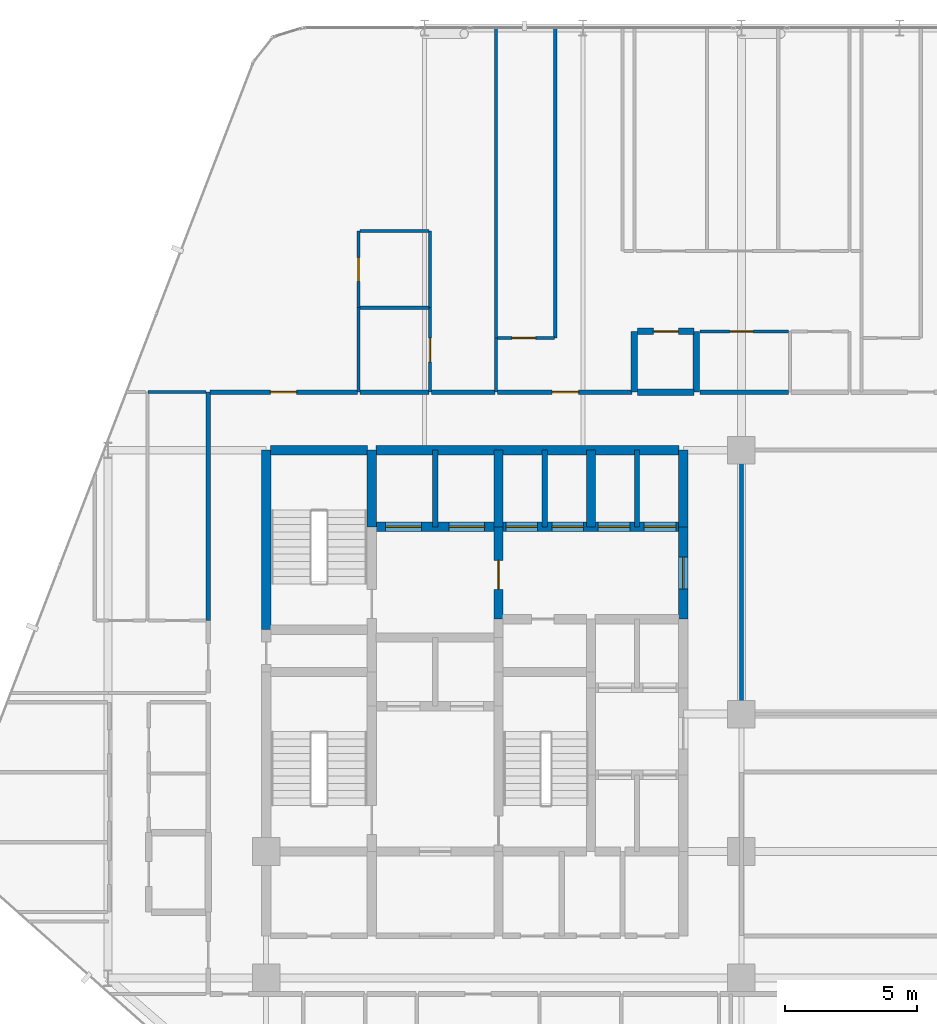
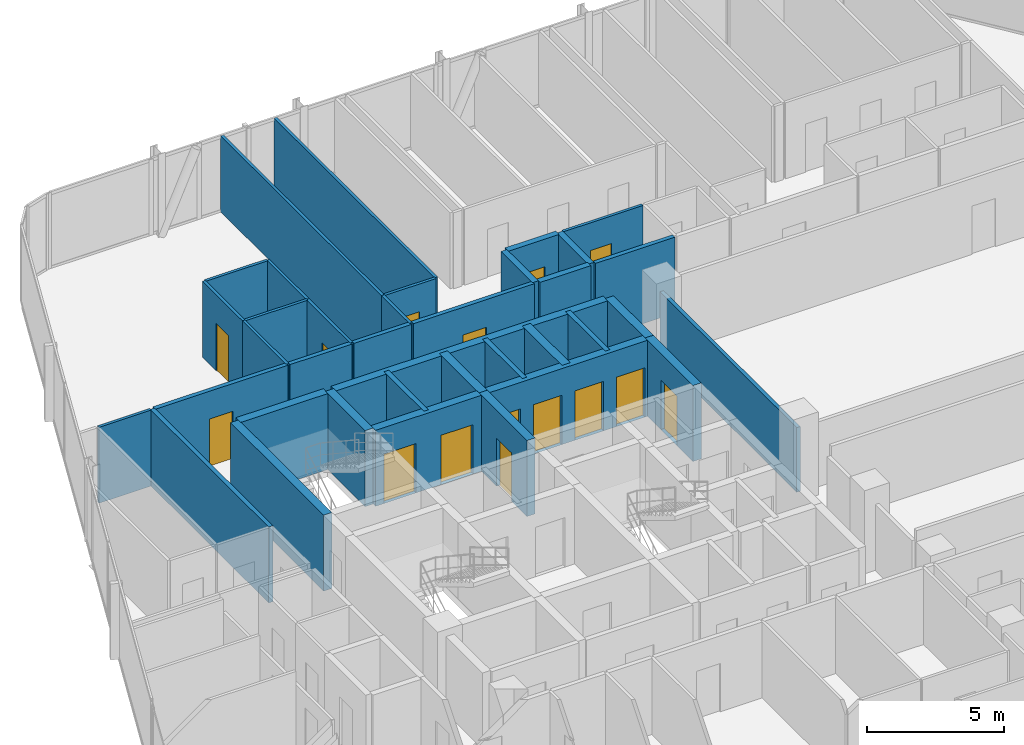
# One storey, part 26 of 29: 36 walls, 15 doors, 15 openings.
"""IFC4 building model written with IfcOpenShell, lengths in metres."""

from ifc_helpers import new_model, si_unit, direction, frame, frame_2d, origin, place, context, subcontext, project, spatial, rectangle, extrude, material, layer, layer_set, type_object, element, fill, save


model = new_model("IFC4")

# Units and contexts
model_context = context("Model", 3, precision=1e-05, world=origin(), true_north=direction((0.0, 1.0)))
body_context = subcontext(model_context, "Body", "Model", "MODEL_VIEW")
ifc_project = project(units=[si_unit("LENGTHUNIT", "METRE"), si_unit("AREAUNIT", "SQUARE_METRE"), si_unit("VOLUMEUNIT", "CUBIC_METRE"), si_unit("PLANEANGLEUNIT", "RADIAN"), si_unit("MASSUNIT", "GRAM", prefix="KILO")], contexts=[model_context])

# Site, building, storey
site_placement = place(None, origin())
site = spatial("IfcSite", under=ifc_project, at=site_placement, CompositionType="ELEMENT")
building_placement = place(site_placement, origin())
building = spatial("IfcBuilding", under=site, at=building_placement, Name="Keshet Zoharim Tower", CompositionType="ELEMENT")
storey_placement = place(building_placement, frame((0.0, 0.0, 102.0)))
storey = spatial("IfcBuildingStorey", under=building, at=storey_placement, Name="L24", CompositionType="ELEMENT", Elevation=102.0)

# Walls
ifc_material_1 = material(Name="Gypsum Plasterboard", Category="gypsum")
ifc_layer_1 = layer(ifc_material_1, 0.14990234375)
ifc_layer_set_1 = layer_set([ifc_layer_1], Name="Gypsum Plasterboard")
wall_type_1 = type_object("IfcWallType", Name="WL-CLIN-150", PredefinedType="STANDARD", material=ifc_layer_set_1)
wall_1_placement = place(storey_placement, frame((33.0, 27.909912109375, 0.0), z_axis=(0.0, 0.0, 1.0), x_axis=(0.0, 1.0, 0.0)))
element("IfcWall", 1, at=wall_1_placement, inside=storey, type_object=wall_type_1, Name="L24 Interior Wall 076", PredefinedType="STANDARD", context=body_context, shape_type="SweptSolid", body=[
    extrude(rectangle(XDim=9.97998046875, YDim=0.14990234375, at=frame_2d((4.989990234375, 0.0))), origin(), (0.0, 0.0, 1.0), 2.885009765625),
])
ifc_material_2 = material(Name="Concrete C60/75", Category="concrete")
ifc_layer_2 = layer(ifc_material_2, 0.35009765625)
ifc_layer_set_2 = layer_set([ifc_layer_2], Name="Concrete C60/75")
wall_type_2 = type_object("IfcWallType", Name="WL-CORE-350", PredefinedType="SHEAR", material=ifc_layer_set_2)
wall_2_placement = place(storey_placement, frame((15.0, 31.10009765625, 0.0), z_axis=(0.0, 0.0, 1.0), x_axis=(0.0, 1.0, 0.0)))
element("IfcWall", 2, at=wall_2_placement, inside=storey, type_object=wall_type_2, Name="L24 Core Shear Wall 016", PredefinedType="SHEAR", context=body_context, shape_type="SweptSolid", body=[
    extrude(rectangle(XDim=6.7998046875, YDim=0.35009765625, at=frame_2d((3.39990234375, 0.0))), origin(), (0.0, 0.0, 1.0), 3.385009765625),
])
wall_3_placement = place(storey_placement, frame((19.0, 35.0, 0.0), z_axis=(0.0, 0.0, 1.0), x_axis=(0.0, 1.0, 0.0)))
element("IfcWall", 3, at=wall_3_placement, inside=storey, type_object=wall_type_2, Name="L24 Core Shear Wall 027", PredefinedType="SHEAR", context=body_context, shape_type="SweptSolid", body=[
    extrude(rectangle(XDim=2.89990234375, YDim=0.35009765625, at=frame_2d((1.449951171875, 0.0))), origin(), (0.0, 0.0, 1.0), 3.385009765625),
])

# Wall, opening, door
wall_4_placement = place(storey_placement, frame((23.800048828125, 31.5, 0.0), z_axis=(0.0, 0.0, 1.0), x_axis=(0.0, 1.0, 0.0)))
wall_4 = element("IfcWall", 4, at=wall_4_placement, inside=storey, type_object=wall_type_2, Name="L24 Core Shear Wall 040", PredefinedType="SHEAR", context=body_context, shape_type="SweptSolid", body=[
    extrude(rectangle(XDim=3.5, YDim=0.35009765625, at=frame_2d((1.75, 0.0))), origin(), (0.0, 0.0, 1.0), 3.385009765625),
])
opening_1_placement = place(wall_4_placement, frame((1.126953125, 0.0, 0.0)))
opening_1 = element("IfcOpeningElement", 5, at=opening_1_placement, cuts=wall_4, Name="Opening D-F611", PredefinedType="OPENING", context=body_context, shape_type="SweptSolid", body=[
    extrude(rectangle(XDim=1.10009765625, YDim=2.14990234375, at=frame_2d((0.550048828125, 1.074951171875))), frame((0.0, 0.18505859375, 0.0), z_axis=(0.0, -1.0, 0.0), x_axis=(1.0, 0.0, 0.0)), (0.0, 0.0, 1.0), 0.3701171875),
])
ifc_material_3 = material(Name="Hardwood Timber", Category="wood")
door_type_1 = type_object("IfcDoorType", Name="DR-FD60-110", OperationType="NOTDEFINED", PredefinedType="DOOR", material=ifc_material_3)
door_1_placement = place(opening_1_placement, origin())
door_1 = element("IfcDoor", 6, at=door_1_placement, inside=storey, type_object=door_type_1, Name="L24 Firefighting Lobby Fire Door", OperationType="SINGLE_SWING_LEFT", OverallHeight=2.14990234375, OverallWidth=1.10009765625, PredefinedType="DOOR", context=body_context, shape_type="SweptSolid", body=[
    extrude(rectangle(XDim=1.10009765625, YDim=2.14990234375, at=frame_2d((0.550048828125, 1.074951171875))), frame((0.0, 0.02490234375, 0.0), z_axis=(0.0, -1.0, 0.0), x_axis=(1.0, 0.0, 0.0)), (0.0, 0.0, 1.0), 0.050048828125),
])
fill(opening_1, door_1)

# Walls
for number, where, z_axis, x_axis, name in (
    (7, (23.800048828125, 35.0, 0.0), (0.0, 0.0, 1.0), (0.0, 1.0, 0.0), "L24 Core Shear Wall 041"),
    (8, (27.300048828125, 35.0, 0.0), (0.0, 0.0, 1.0), (0.0, 1.0, 0.0), "L24 Core Shear Wall 052"),
):
    element("IfcWall", number, at=place(storey_placement, frame(where, z_axis=z_axis, x_axis=x_axis)), inside=storey, type_object=wall_type_2, Name=name, PredefinedType="SHEAR", context=body_context, shape_type="SweptSolid", body=[
        extrude(rectangle(XDim=2.89990234375, YDim=0.35009765625, at=frame_2d((1.449951171875, 0.0))), origin(), (0.0, 0.0, 1.0), 3.385009765625),
    ])

# Wall, opening, door
wall_5_placement = place(storey_placement, frame((30.800048828125, 31.5, 0.0), z_axis=(0.0, 0.0, 1.0), x_axis=(0.0, 1.0, 0.0)))
wall_5 = element("IfcWall", 9, at=wall_5_placement, inside=storey, type_object=wall_type_2, Name="L24 Core Shear Wall 066", PredefinedType="SHEAR", context=body_context, shape_type="SweptSolid", body=[
    extrude(rectangle(XDim=3.5, YDim=0.35009765625, at=frame_2d((1.75, 0.0))), origin(), (0.0, 0.0, 1.0), 3.385009765625),
])
opening_2_placement = place(wall_5_placement, frame((1.14990234375, 0.0, 0.0)))
opening_2 = element("IfcOpeningElement", 10, at=opening_2_placement, cuts=wall_5, Name="Opening D-F612", PredefinedType="OPENING", context=body_context, shape_type="SweptSolid", body=[
    extrude(rectangle(XDim=1.199951171875, YDim=2.199951171875, at=frame_2d((0.60009765625, 1.10009765625))), frame((0.0, 0.18505859375, 0.0), z_axis=(0.0, -1.0, 0.0), x_axis=(1.0, 0.0, 0.0)), (0.0, 0.0, 1.0), 0.3701171875),
])
door_type_2 = type_object("IfcDoorType", Name="DR-FD60-120", OperationType="NOTDEFINED", PredefinedType="DOOR", material=ifc_material_3)
door_2_placement = place(opening_2_placement, origin())
door_2 = element("IfcDoor", 11, at=door_2_placement, inside=storey, type_object=door_type_2, Name="L24 North Lift Lobby East Fire Door", OperationType="SINGLE_SWING_LEFT", OverallHeight=2.199951171875, OverallWidth=1.199951171875, PredefinedType="DOOR", context=body_context, shape_type="SweptSolid", body=[
    extrude(rectangle(XDim=1.199951171875, YDim=2.199951171875, at=frame_2d((0.60009765625, 1.10009765625))), frame((0.0, 0.02490234375, 0.0), z_axis=(0.0, -1.0, 0.0), x_axis=(1.0, 0.0, 0.0)), (0.0, 0.0, 1.0), 0.050048828125),
])
fill(opening_2, door_2)

# Wall
wall_6_placement = place(storey_placement, frame((30.800048828125, 35.0, 0.0), z_axis=(0.0, 0.0, 1.0), x_axis=(0.0, 1.0, 0.0)))
element("IfcWall", 12, at=wall_6_placement, inside=storey, type_object=wall_type_2, Name="L24 Core Shear Wall 067", PredefinedType="SHEAR", context=body_context, shape_type="SweptSolid", body=[
    extrude(rectangle(XDim=2.89990234375, YDim=0.35009765625, at=frame_2d((1.449951171875, 0.0))), origin(), (0.0, 0.0, 1.0), 3.385009765625),
])

# Wall, openings, doors
wall_7_placement = place(storey_placement, frame((19.159912109375, 35.0, 0.0), z_axis=(0.0, 0.0, 1.0), x_axis=(1.0, 0.0, 0.0)))
wall_7 = element("IfcWall", 13, at=wall_7_placement, inside=storey, type_object=wall_type_2, Name="L24 Core Shear Wall 183", PredefinedType="SHEAR", context=body_context, shape_type="SweptSolid", body=[
    extrude(rectangle(XDim=11.47998046875, YDim=0.35009765625, at=frame_2d((5.739990234375, 0.0))), origin(), (0.0, 0.0, 1.0), 3.385009765625),
])
opening_3_placement = place(wall_7_placement, frame((0.364990234375, 0.0, 0.0)))
opening_3 = element("IfcOpeningElement", 14, at=opening_3_placement, cuts=wall_7, Name="Opening LD-02", PredefinedType="OPENING", context=body_context, shape_type="SweptSolid", body=[
    extrude(rectangle(XDim=1.35009765625, YDim=2.199951171875, at=frame_2d((0.675048828125, 1.10009765625))), frame((0.0, 0.18505859375, 0.0), z_axis=(0.0, -1.0, 0.0), x_axis=(1.0, 0.0, 0.0)), (0.0, 0.0, 1.0), 0.3701171875),
])
opening_4_placement = place(wall_7_placement, frame((2.764892578125, 0.0, 0.0)))
opening_4 = element("IfcOpeningElement", 15, at=opening_4_placement, cuts=wall_7, Name="Opening LD-02", PredefinedType="OPENING", context=body_context, shape_type="SweptSolid", body=[
    extrude(rectangle(XDim=1.35009765625, YDim=2.199951171875, at=frame_2d((0.675048828125, 1.10009765625))), frame((0.0, 0.18505859375, 0.0), z_axis=(0.0, -1.0, 0.0), x_axis=(1.0, 0.0, 0.0)), (0.0, 0.0, 1.0), 0.3701171875),
])
opening_5_placement = place(wall_7_placement, frame((4.9150390625, 0.0, 0.0)))
opening_5 = element("IfcOpeningElement", 16, at=opening_5_placement, cuts=wall_7, Name="Opening LD-03", PredefinedType="OPENING", context=body_context, shape_type="SweptSolid", body=[
    extrude(rectangle(XDim=1.199951171875, YDim=2.199951171875, at=frame_2d((0.60009765625, 1.10009765625))), frame((0.0, 0.18505859375, 0.0), z_axis=(0.0, -1.0, 0.0), x_axis=(1.0, 0.0, 0.0)), (0.0, 0.0, 1.0), 0.3701171875),
])
opening_6_placement = place(wall_7_placement, frame((6.6650390625, 0.0, 0.0)))
opening_6 = element("IfcOpeningElement", 17, at=opening_6_placement, cuts=wall_7, Name="Opening LD-03", PredefinedType="OPENING", context=body_context, shape_type="SweptSolid", body=[
    extrude(rectangle(XDim=1.199951171875, YDim=2.199951171875, at=frame_2d((0.60009765625, 1.10009765625))), frame((0.0, 0.18505859375, 0.0), z_axis=(0.0, -1.0, 0.0), x_axis=(1.0, 0.0, 0.0)), (0.0, 0.0, 1.0), 0.3701171875),
])
opening_7_placement = place(wall_7_placement, frame((8.4150390625, 0.0, 0.0)))
opening_7 = element("IfcOpeningElement", 18, at=opening_7_placement, cuts=wall_7, Name="Opening LD-03", PredefinedType="OPENING", context=body_context, shape_type="SweptSolid", body=[
    extrude(rectangle(XDim=1.199951171875, YDim=2.199951171875, at=frame_2d((0.60009765625, 1.10009765625))), frame((0.0, 0.18505859375, 0.0), z_axis=(0.0, -1.0, 0.0), x_axis=(1.0, 0.0, 0.0)), (0.0, 0.0, 1.0), 0.3701171875),
])
opening_8_placement = place(wall_7_placement, frame((10.159912109375, 0.0, 0.0)))
opening_8 = element("IfcOpeningElement", 19, at=opening_8_placement, cuts=wall_7, Name="Opening LD-03", PredefinedType="OPENING", context=body_context, shape_type="SweptSolid", body=[
    extrude(rectangle(XDim=1.199951171875, YDim=2.199951171875, at=frame_2d((0.60009765625, 1.10009765625))), frame((0.0, 0.18505859375, 0.0), z_axis=(0.0, -1.0, 0.0), x_axis=(1.0, 0.0, 0.0)), (0.0, 0.0, 1.0), 0.3701171875),
])
ifc_material_4 = material(Name="Steel S355", Category="steel")
door_type_3 = type_object("IfcDoorType", Name="DR-LD02-135", OperationType="DOUBLE_DOOR_SLIDING", PredefinedType="DOOR", material=ifc_material_4)
door_3_placement = place(opening_3_placement, origin())
door_3 = element("IfcDoor", 20, at=door_3_placement, inside=storey, type_object=door_type_3, Name="L24 Firefighting Lift Landing Door FF-01", OperationType="DOUBLE_DOOR_SLIDING", OverallHeight=2.199951171875, OverallWidth=1.35009765625, PredefinedType="DOOR", context=body_context, shape_type="SweptSolid", body=[
    extrude(rectangle(XDim=1.35009765625, YDim=2.199951171875, at=frame_2d((0.675048828125, 1.10009765625))), frame((0.0, 0.02490234375, 0.0), z_axis=(0.0, -1.0, 0.0), x_axis=(1.0, 0.0, 0.0)), (0.0, 0.0, 1.0), 0.050048828125),
])
fill(opening_3, door_3)
door_4_placement = place(opening_4_placement, origin())
door_4 = element("IfcDoor", 21, at=door_4_placement, inside=storey, type_object=door_type_3, Name="L24 Firefighting Lift Landing Door FF-02", OperationType="DOUBLE_DOOR_SLIDING", OverallHeight=2.199951171875, OverallWidth=1.35009765625, PredefinedType="DOOR", context=body_context, shape_type="SweptSolid", body=[
    extrude(rectangle(XDim=1.35009765625, YDim=2.199951171875, at=frame_2d((0.675048828125, 1.10009765625))), frame((0.0, 0.02490234375, 0.0), z_axis=(0.0, -1.0, 0.0), x_axis=(1.0, 0.0, 0.0)), (0.0, 0.0, 1.0), 0.050048828125),
])
fill(opening_4, door_4)
door_type_4 = type_object("IfcDoorType", Name="DR-LD03-120", OperationType="DOUBLE_DOOR_SLIDING", PredefinedType="DOOR", material=ifc_material_4)
door_5_placement = place(opening_5_placement, origin())
door_5 = element("IfcDoor", 22, at=door_5_placement, inside=storey, type_object=door_type_4, Name="L24 Passenger Lift Landing Door LF-01", OperationType="DOUBLE_DOOR_SLIDING", OverallHeight=2.199951171875, OverallWidth=1.199951171875, PredefinedType="DOOR", context=body_context, shape_type="SweptSolid", body=[
    extrude(rectangle(XDim=1.199951171875, YDim=2.199951171875, at=frame_2d((0.60009765625, 1.10009765625))), frame((0.0, 0.02490234375, 0.0), z_axis=(0.0, -1.0, 0.0), x_axis=(1.0, 0.0, 0.0)), (0.0, 0.0, 1.0), 0.050048828125),
])
fill(opening_5, door_5)
door_6_placement = place(opening_6_placement, origin())
door_6 = element("IfcDoor", 23, at=door_6_placement, inside=storey, type_object=door_type_4, Name="L24 Passenger Lift Landing Door LF-02", OperationType="DOUBLE_DOOR_SLIDING", OverallHeight=2.199951171875, OverallWidth=1.199951171875, PredefinedType="DOOR", context=body_context, shape_type="SweptSolid", body=[
    extrude(rectangle(XDim=1.199951171875, YDim=2.199951171875, at=frame_2d((0.60009765625, 1.10009765625))), frame((0.0, 0.02490234375, 0.0), z_axis=(0.0, -1.0, 0.0), x_axis=(1.0, 0.0, 0.0)), (0.0, 0.0, 1.0), 0.050048828125),
])
fill(opening_6, door_6)
door_7_placement = place(opening_7_placement, origin())
door_7 = element("IfcDoor", 24, at=door_7_placement, inside=storey, type_object=door_type_4, Name="L24 Passenger Lift Landing Door LF-03", OperationType="DOUBLE_DOOR_SLIDING", OverallHeight=2.199951171875, OverallWidth=1.199951171875, PredefinedType="DOOR", context=body_context, shape_type="SweptSolid", body=[
    extrude(rectangle(XDim=1.199951171875, YDim=2.199951171875, at=frame_2d((0.60009765625, 1.10009765625))), frame((0.0, 0.02490234375, 0.0), z_axis=(0.0, -1.0, 0.0), x_axis=(1.0, 0.0, 0.0)), (0.0, 0.0, 1.0), 0.050048828125),
])
fill(opening_7, door_7)
door_8_placement = place(opening_8_placement, origin())
door_8 = element("IfcDoor", 25, at=door_8_placement, inside=storey, type_object=door_type_4, Name="L24 Passenger Lift Landing Door LF-04", OperationType="DOUBLE_DOOR_SLIDING", OverallHeight=2.199951171875, OverallWidth=1.199951171875, PredefinedType="DOOR", context=body_context, shape_type="SweptSolid", body=[
    extrude(rectangle(XDim=1.199951171875, YDim=2.199951171875, at=frame_2d((0.60009765625, 1.10009765625))), frame((0.0, 0.02490234375, 0.0), z_axis=(0.0, -1.0, 0.0), x_axis=(1.0, 0.0, 0.0)), (0.0, 0.0, 1.0), 0.050048828125),
])
fill(opening_8, door_8)

# Walls
wall_8_placement = place(storey_placement, frame((15.159912109375, 37.89990234375, 0.0), z_axis=(0.0, 0.0, 1.0), x_axis=(1.0, 0.0, 0.0)))
element("IfcWall", 26, at=wall_8_placement, inside=storey, type_object=wall_type_2, Name="L24 Core Shear Wall 184", PredefinedType="SHEAR", context=body_context, shape_type="SweptSolid", body=[
    extrude(rectangle(XDim=3.68017578125, YDim=0.35009765625, at=frame_2d((1.840087890625, 0.0))), origin(), (0.0, 0.0, 1.0), 3.385009765625),
])
wall_9_placement = place(storey_placement, frame((19.159912109375, 37.89990234375, 0.0), z_axis=(0.0, 0.0, 1.0), x_axis=(1.0, 0.0, 0.0)))
element("IfcWall", 27, at=wall_9_placement, inside=storey, type_object=wall_type_2, Name="L24 Core Shear Wall 185", PredefinedType="SHEAR", context=body_context, shape_type="SweptSolid", body=[
    extrude(rectangle(XDim=11.47998046875, YDim=0.35009765625, at=frame_2d((5.739990234375, 0.0))), origin(), (0.0, 0.0, 1.0), 3.385009765625),
])
ifc_layer_3 = layer(ifc_material_1, 0.179931640625)
ifc_layer_set_3 = layer_set([ifc_layer_3], Name="Gypsum Plasterboard")
wall_type_3 = type_object("IfcWallType", Name="WL-CORR-180", PredefinedType="STANDARD", material=ifc_layer_set_3)
wall_10_placement = place(storey_placement, frame((12.800048828125, 31.449951171875, 0.0), z_axis=(0.0, 0.0, 1.0), x_axis=(0.0, 1.0, 0.0)))
element("IfcWall", 28, at=wall_10_placement, inside=storey, type_object=wall_type_3, Name="L24 Interior Wall 012", PredefinedType="STANDARD", context=body_context, shape_type="SweptSolid", body=[
    extrude(rectangle(XDim=8.650146484375, YDim=0.179931640625, at=frame_2d((4.3251953125, 0.0))), origin(), (0.0, 0.0, 1.0), 3.385009765625),
])

# Wall, opening, door
wall_11_placement = place(storey_placement, frame((12.875, 40.10009765625, 0.0), z_axis=(0.0, 0.0, 1.0), x_axis=(1.0, 0.0, 0.0)))
wall_11 = element("IfcWall", 29, at=wall_11_placement, inside=storey, type_object=wall_type_3, Name="L24 Interior Wall 189", PredefinedType="STANDARD", context=body_context, shape_type="SweptSolid", body=[
    extrude(rectangle(XDim=5.590087890625, YDim=0.179931640625, at=frame_2d((2.794921875, 0.0))), origin(), (0.0, 0.0, 1.0), 3.385009765625),
])
opening_9_placement = place(wall_11_placement, frame((2.280029296875, 0.0, 0.0)))
opening_9 = element("IfcOpeningElement", 30, at=opening_9_placement, cuts=wall_11, Name="Opening D-F310", PredefinedType="OPENING", context=body_context, shape_type="SweptSolid", body=[
    extrude(rectangle(XDim=1.0, YDim=2.14990234375, at=frame_2d((0.5, 1.074951171875))), frame((0.0, 0.10009765625, 0.0), z_axis=(0.0, -1.0, 0.0), x_axis=(1.0, 0.0, 0.0)), (0.0, 0.0, 1.0), 0.199951171875),
])
door_type_5 = type_object("IfcDoorType", Name="DR-FD30-100", OperationType="NOTDEFINED", PredefinedType="DOOR", material=ifc_material_3)
door_9_placement = place(opening_9_placement, origin())
door_9 = element("IfcDoor", 31, at=door_9_placement, inside=storey, type_object=door_type_5, Name="Apartment 2405 Entrance Door", OperationType="SINGLE_SWING_LEFT", OverallHeight=2.14990234375, OverallWidth=1.0, PredefinedType="DOOR", context=body_context, shape_type="SweptSolid", body=[
    extrude(rectangle(XDim=1.0, YDim=2.14990234375, at=frame_2d((0.5, 1.074951171875))), frame((0.0, 0.02490234375, 0.0), z_axis=(0.0, -1.0, 0.0), x_axis=(1.0, 0.0, 0.0)), (0.0, 0.0, 1.0), 0.050048828125),
])
fill(opening_9, door_9)

# Walls
wall_12_placement = place(storey_placement, frame((18.554931640625, 40.10009765625, 0.0), z_axis=(0.0, 0.0, 1.0), x_axis=(1.0, 0.0, 0.0)))
element("IfcWall", 32, at=wall_12_placement, inside=storey, type_object=wall_type_3, Name="L24 Interior Wall 190", PredefinedType="STANDARD", context=body_context, shape_type="SweptSolid", body=[
    extrude(rectangle(XDim=2.610107421875, YDim=0.179931640625, at=frame_2d((1.30517578125, 0.0))), origin(), (0.0, 0.0, 1.0), 3.385009765625),
])
wall_13_placement = place(storey_placement, frame((21.2548828125, 40.10009765625, 0.0), z_axis=(0.0, 0.0, 1.0), x_axis=(1.0, 0.0, 0.0)))
element("IfcWall", 33, at=wall_13_placement, inside=storey, type_object=wall_type_3, Name="L24 Interior Wall 191", PredefinedType="STANDARD", context=body_context, shape_type="SweptSolid", body=[
    extrude(rectangle(XDim=2.41015625, YDim=0.179931640625, at=frame_2d((1.205078125, 0.0))), origin(), (0.0, 0.0, 1.0), 3.385009765625),
])

# Wall, opening, door
wall_14_placement = place(storey_placement, frame((23.7548828125, 40.10009765625, 0.0), z_axis=(0.0, 0.0, 1.0), x_axis=(1.0, 0.0, 0.0)))
wall_14 = element("IfcWall", 34, at=wall_14_placement, inside=storey, type_object=wall_type_3, Name="L24 Interior Wall 192", PredefinedType="STANDARD", context=body_context, shape_type="SweptSolid", body=[
    extrude(rectangle(XDim=5.09521484375, YDim=0.179931640625, at=frame_2d((2.547607421875, 0.0))), origin(), (0.0, 0.0, 1.0), 3.385009765625),
])
opening_10_placement = place(wall_14_placement, frame((2.080078125, 0.0, 0.0)))
opening_10 = element("IfcOpeningElement", 35, at=opening_10_placement, cuts=wall_14, Name="Opening D-F310", PredefinedType="OPENING", context=body_context, shape_type="SweptSolid", body=[
    extrude(rectangle(XDim=1.0, YDim=2.14990234375, at=frame_2d((0.5, 1.074951171875))), frame((0.0, 0.10009765625, 0.0), z_axis=(0.0, -1.0, 0.0), x_axis=(1.0, 0.0, 0.0)), (0.0, 0.0, 1.0), 0.199951171875),
])
door_10_placement = place(opening_10_placement, origin())
door_10 = element("IfcDoor", 36, at=door_10_placement, inside=storey, type_object=door_type_5, Name="Apartment 2406 Entrance Door", OperationType="SINGLE_SWING_RIGHT", OverallHeight=2.14990234375, OverallWidth=1.0, PredefinedType="DOOR", context=body_context, shape_type="SweptSolid", body=[
    extrude(rectangle(XDim=1.0, YDim=2.14990234375, at=frame_2d((0.5, 1.074951171875))), frame((0.0, 0.02490234375, 0.0), z_axis=(0.0, -1.0, 0.0), x_axis=(1.0, 0.0, 0.0)), (0.0, 0.0, 1.0), 0.050048828125),
])
fill(opening_10, door_10)

# Walls
wall_15_placement = place(storey_placement, frame((31.43310546875, 40.10009765625, 0.0), z_axis=(0.0, 0.0, 1.0), x_axis=(1.0, 0.0, 0.0)))
element("IfcWall", 37, at=wall_15_placement, inside=storey, type_object=wall_type_3, Name="L24 Interior Wall 194", PredefinedType="STANDARD", context=body_context, shape_type="SweptSolid", body=[
    extrude(rectangle(XDim=3.349853515625, YDim=0.179931640625, at=frame_2d((1.6748046875, 0.0))), origin(), (0.0, 0.0, 1.0), 3.385009765625),
])
ifc_material_5 = material(Name="Concrete C50/60", Category="concrete")
ifc_layer_4 = layer(ifc_material_5, 0.199951171875)
ifc_layer_set_4 = layer_set([ifc_layer_4], Name="Concrete C50/60")
wall_type_4 = type_object("IfcWallType", Name="WL-FIRE-200", PredefinedType="STANDARD", material=ifc_layer_set_4)
for number, where, z_axis, x_axis, name in (
    (38, (21.39990234375, 35.0, 0.0), (0.0, 0.0, 1.0), (0.0, 1.0, 0.0), "L24 Interior Wall 032"),
    (39, (25.550048828125, 35.0, 0.0), (0.0, 0.0, 1.0), (0.0, 1.0, 0.0), "L24 Interior Wall 045"),
    (40, (29.050048828125, 35.0, 0.0), (0.0, 0.0, 1.0), (0.0, 1.0, 0.0), "L24 Interior Wall 061"),
):
    element("IfcWall", number, at=place(storey_placement, frame(where, z_axis=z_axis, x_axis=x_axis)), inside=storey, type_object=wall_type_4, Name=name, PredefinedType="STANDARD", context=body_context, shape_type="SweptSolid", body=[
        extrude(rectangle(XDim=2.89990234375, YDim=0.199951171875, at=frame_2d((1.449951171875, 0.0))), origin(), (0.0, 0.0, 1.0), 3.385009765625),
    ])
ifc_layer_5 = layer(ifc_material_5, 0.25)
ifc_layer_set_5 = layer_set([ifc_layer_5], Name="Concrete C50/60")
wall_type_5 = type_object("IfcWallType", Name="WL-MAMAD-250", PredefinedType="STANDARD", material=ifc_layer_set_5)
for number, where, z_axis, x_axis, name in (
    (41, (28.949951171875, 40.10009765625, 0.0), (0.0, 0.0, 1.0), (0.0, 1.0, 0.0), "L24 Interior Wall 057"),
    (42, (31.300048828125, 40.10009765625, 0.0), (0.0, 0.0, 1.0), (0.0, 1.0, 0.0), "L24 Interior Wall 068"),
):
    element("IfcWall", number, at=place(storey_placement, frame(where, z_axis=z_axis, x_axis=x_axis)), inside=storey, type_object=wall_type_5, Name=name, PredefinedType="STANDARD", context=body_context, shape_type="SweptSolid", body=[
        extrude(rectangle(XDim=2.2998046875, YDim=0.25, at=frame_2d((1.14990234375, 0.0))), origin(), (0.0, 0.0, 1.0), 3.385009765625),
    ])
wall_16_placement = place(storey_placement, frame((29.070068359375, 40.10009765625, 0.0), z_axis=(0.0, 0.0, 1.0), x_axis=(1.0, 0.0, 0.0)))
element("IfcWall", 43, at=wall_16_placement, inside=storey, type_object=wall_type_5, Name="L24 Interior Wall 193", PredefinedType="STANDARD", context=body_context, shape_type="SweptSolid", body=[
    extrude(rectangle(XDim=2.142822265625, YDim=0.25, at=frame_2d((1.0712890625, 0.0))), origin(), (0.0, 0.0, 1.0), 3.385009765625),
])

# Wall, opening, door
wall_17_placement = place(storey_placement, frame((29.070068359375, 42.39990234375, 0.0), z_axis=(0.0, 0.0, 1.0), x_axis=(1.0, 0.0, 0.0)))
wall_17 = element("IfcWall", 44, at=wall_17_placement, inside=storey, type_object=wall_type_5, Name="L24 Interior Wall 207", PredefinedType="STANDARD", context=body_context, shape_type="SweptSolid", body=[
    extrude(rectangle(XDim=2.142822265625, YDim=0.25, at=frame_2d((1.0712890625, 0.0))), origin(), (0.0, 0.0, 1.0), 3.385009765625),
])
opening_11_placement = place(wall_17_placement, frame((0.596923828125, 0.0, 0.0)))
opening_11 = element("IfcOpeningElement", 45, at=opening_11_placement, cuts=wall_17, Name="Opening D-F695", PredefinedType="OPENING", context=body_context, shape_type="SweptSolid", body=[
    extrude(rectangle(XDim=0.949951171875, YDim=2.14990234375, at=frame_2d((0.47509765625, 1.074951171875))), frame((0.0, 0.135009765625, 0.0), z_axis=(0.0, -1.0, 0.0), x_axis=(1.0, 0.0, 0.0)), (0.0, 0.0, 1.0), 0.27001953125),
])
door_type_6 = type_object("IfcDoorType", Name="DR-FD60-095", OperationType="NOTDEFINED", PredefinedType="DOOR", material=ifc_material_3)
door_11_placement = place(opening_11_placement, origin())
door_11 = element("IfcDoor", 46, at=door_11_placement, inside=storey, type_object=door_type_6, Name="Apartment 2406 Study and Shelter Room Door", OperationType="SINGLE_SWING_LEFT", OverallHeight=2.14990234375, OverallWidth=0.949951171875, PredefinedType="DOOR", context=body_context, shape_type="SweptSolid", body=[
    extrude(rectangle(XDim=0.949951171875, YDim=2.14990234375, at=frame_2d((0.47509765625, 1.074951171875))), frame((0.0, 0.02490234375, 0.0), z_axis=(0.0, -1.0, 0.0), x_axis=(1.0, 0.0, 0.0)), (0.0, 0.0, 1.0), 0.050048828125),
])
fill(opening_11, door_11)

# Wall
ifc_layer_6 = layer(ifc_material_1, 0.1201171875)
ifc_layer_set_6 = layer_set([ifc_layer_6], Name="Gypsum Plasterboard")
wall_type_6 = type_object("IfcWallType", Name="WL-PART-120", PredefinedType="PARTITIONING", material=ifc_layer_set_6)
wall_18_placement = place(storey_placement, frame((18.5, 40.10009765625, 0.0), z_axis=(0.0, 0.0, 1.0), x_axis=(0.0, 1.0, 0.0)))
element("IfcWall", 47, at=wall_18_placement, inside=storey, type_object=wall_type_6, Name="L24 Interior Wall 019", PredefinedType="PARTITIONING", context=body_context, shape_type="SweptSolid", body=[
    extrude(rectangle(XDim=3.199951171875, YDim=0.1201171875, at=frame_2d((1.60009765625, 0.0))), origin(), (0.0, 0.0, 1.0), 3.385009765625),
])

# Wall, opening, door
wall_19_placement = place(storey_placement, frame((21.199951171875, 40.10009765625, 0.0), z_axis=(0.0, 0.0, 1.0), x_axis=(0.0, 1.0, 0.0)))
wall_19 = element("IfcWall", 48, at=wall_19_placement, inside=storey, type_object=wall_type_6, Name="L24 Interior Wall 029", PredefinedType="PARTITIONING", context=body_context, shape_type="SweptSolid", body=[
    extrude(rectangle(XDim=3.199951171875, YDim=0.1201171875, at=frame_2d((1.60009765625, 0.0))), origin(), (0.0, 0.0, 1.0), 3.385009765625),
])
opening_12_placement = place(wall_19_placement, frame((1.14990234375, 0.0, 0.0)))
opening_12 = element("IfcOpeningElement", 49, at=opening_12_placement, cuts=wall_19, Name="Opening D-IN90", PredefinedType="OPENING", context=body_context, shape_type="SweptSolid", body=[
    extrude(rectangle(XDim=0.89990234375, YDim=2.14990234375, at=frame_2d((0.449951171875, 1.074951171875))), frame((0.0, 0.070068359375, 0.0), z_axis=(0.0, -1.0, 0.0), x_axis=(1.0, 0.0, 0.0)), (0.0, 0.0, 1.0), 0.14013671875),
])
door_type_7 = type_object("IfcDoorType", Name="DR-INT-090", OperationType="NOTDEFINED", PredefinedType="DOOR", material=ifc_material_3)
door_12_placement = place(opening_12_placement, origin())
door_12 = element("IfcDoor", 50, at=door_12_placement, inside=storey, type_object=door_type_7, Name="Apartment 2405 Kitchenette Door", OperationType="SINGLE_SWING_LEFT", OverallHeight=2.14990234375, OverallWidth=0.89990234375, PredefinedType="DOOR", context=body_context, shape_type="SweptSolid", body=[
    extrude(rectangle(XDim=0.89990234375, YDim=2.14990234375, at=frame_2d((0.449951171875, 1.074951171875))), frame((0.0, 0.02490234375, 0.0), z_axis=(0.0, -1.0, 0.0), x_axis=(1.0, 0.0, 0.0)), (0.0, 0.0, 1.0), 0.050048828125),
])
fill(opening_12, door_12)

# Walls
wall_20_placement = place(storey_placement, frame((23.699951171875, 40.10009765625, 0.0), z_axis=(0.0, 0.0, 1.0), x_axis=(0.0, 1.0, 0.0)))
element("IfcWall", 51, at=wall_20_placement, inside=storey, type_object=wall_type_6, Name="L24 Interior Wall 033", PredefinedType="PARTITIONING", context=body_context, shape_type="SweptSolid", body=[
    extrude(rectangle(XDim=2.0498046875, YDim=0.1201171875, at=frame_2d((1.02490234375, 0.0))), origin(), (0.0, 0.0, 1.0), 3.385009765625),
])
for number, where, z_axis, x_axis, name in (
    (52, (23.699951171875, 42.14990234375, 0.0), (0.0, 0.0, 1.0), (0.0, 1.0, 0.0), "L24 Interior Wall 034"),
    (53, (25.949951171875, 42.14990234375, 0.0), (0.0, 0.0, 1.0), (0.0, 1.0, 0.0), "L24 Interior Wall 046"),
):
    element("IfcWall", number, at=place(storey_placement, frame(where, z_axis=z_axis, x_axis=x_axis)), inside=storey, type_object=wall_type_6, Name=name, PredefinedType="PARTITIONING", context=body_context, shape_type="SweptSolid", body=[
        extrude(rectangle(XDim=11.739990234375, YDim=0.1201171875, at=frame_2d((5.8701171875, 0.0))), origin(), (0.0, 0.0, 1.0), 3.385009765625),
    ])

# Wall, opening, door
wall_21_placement = place(storey_placement, frame((23.7548828125, 42.14990234375, 0.0), z_axis=(0.0, 0.0, 1.0), x_axis=(1.0, 0.0, 0.0)))
wall_21 = element("IfcWall", 54, at=wall_21_placement, inside=storey, type_object=wall_type_6, Name="L24 Interior Wall 205", PredefinedType="PARTITIONING", context=body_context, shape_type="SweptSolid", body=[
    extrude(rectangle(XDim=2.16015625, YDim=0.1201171875, at=frame_2d((1.080078125, 0.0))), origin(), (0.0, 0.0, 1.0), 3.385009765625),
])
opening_13_placement = place(wall_21_placement, frame((0.552978515625, 0.0, 0.0)))
opening_13 = element("IfcOpeningElement", 55, at=opening_13_placement, cuts=wall_21, Name="Opening D-IN90", PredefinedType="OPENING", context=body_context, shape_type="SweptSolid", body=[
    extrude(rectangle(XDim=0.89990234375, YDim=2.14990234375, at=frame_2d((0.449951171875, 1.074951171875))), frame((0.0, 0.070068359375, 0.0), z_axis=(0.0, -1.0, 0.0), x_axis=(1.0, 0.0, 0.0)), (0.0, 0.0, 1.0), 0.14013671875),
])
door_13_placement = place(opening_13_placement, origin())
door_13 = element("IfcDoor", 56, at=door_13_placement, inside=storey, type_object=door_type_7, Name="Apartment 2406 Formal Dining Room Door", OperationType="SINGLE_SWING_LEFT", OverallHeight=2.14990234375, OverallWidth=0.89990234375, PredefinedType="DOOR", context=body_context, shape_type="SweptSolid", body=[
    extrude(rectangle(XDim=0.89990234375, YDim=2.14990234375, at=frame_2d((0.449951171875, 1.074951171875))), frame((0.0, 0.02490234375, 0.0), z_axis=(0.0, -1.0, 0.0), x_axis=(1.0, 0.0, 0.0)), (0.0, 0.0, 1.0), 0.050048828125),
])
fill(opening_13, door_13)

wall_22_placement = place(storey_placement, frame((31.43310546875, 42.39990234375, 0.0), z_axis=(0.0, 0.0, 1.0), x_axis=(1.0, 0.0, 0.0)))
wall_22 = element("IfcWall", 57, at=wall_22_placement, inside=storey, type_object=wall_type_6, Name="L24 Interior Wall 208", PredefinedType="PARTITIONING", context=body_context, shape_type="SweptSolid", body=[
    extrude(rectangle(XDim=3.349853515625, YDim=0.1201171875, at=frame_2d((1.6748046875, 0.0))), origin(), (0.0, 0.0, 1.0), 3.385009765625),
])
opening_14_placement = place(wall_22_placement, frame((1.1220703125, 0.0, 0.0)))
opening_14 = element("IfcOpeningElement", 58, at=opening_14_placement, cuts=wall_22, Name="Opening D-IN90", PredefinedType="OPENING", context=body_context, shape_type="SweptSolid", body=[
    extrude(rectangle(XDim=0.89990234375, YDim=2.14990234375, at=frame_2d((0.449951171875, 1.074951171875))), frame((0.0, 0.070068359375, 0.0), z_axis=(0.0, -1.0, 0.0), x_axis=(1.0, 0.0, 0.0)), (0.0, 0.0, 1.0), 0.14013671875),
])
door_14_placement = place(opening_14_placement, origin())
door_14 = element("IfcDoor", 59, at=door_14_placement, inside=storey, type_object=door_type_7, Name="Apartment 2406 Kitchen Door", OperationType="SINGLE_SWING_RIGHT", OverallHeight=2.14990234375, OverallWidth=0.89990234375, PredefinedType="DOOR", context=body_context, shape_type="SweptSolid", body=[
    extrude(rectangle(XDim=0.89990234375, YDim=2.14990234375, at=frame_2d((0.449951171875, 1.074951171875))), frame((0.0, 0.02490234375, 0.0), z_axis=(0.0, -1.0, 0.0), x_axis=(1.0, 0.0, 0.0)), (0.0, 0.0, 1.0), 0.050048828125),
])
fill(opening_14, door_14)

ifc_layer_7 = layer(ifc_material_1, 0.1201171875)
ifc_layer_set_7 = layer_set([ifc_layer_7], Name="Gypsum Plasterboard")
wall_type_7 = type_object("IfcWallType", Name="WL-WET-120", PredefinedType="PARTITIONING", material=ifc_layer_set_7)
wall_23_placement = place(storey_placement, frame((18.5, 43.300048828125, 0.0), z_axis=(0.0, 0.0, 1.0), x_axis=(0.0, 1.0, 0.0)))
wall_23 = element("IfcWall", 60, at=wall_23_placement, inside=storey, type_object=wall_type_7, Name="L24 Interior Wall 020", PredefinedType="PARTITIONING", context=body_context, shape_type="SweptSolid", body=[
    extrude(rectangle(XDim=2.89990234375, YDim=0.1201171875, at=frame_2d((1.449951171875, 0.0))), origin(), (0.0, 0.0, 1.0), 3.385009765625),
])
opening_15_placement = place(wall_23_placement, frame((1.0, 0.0, 0.0)))
opening_15 = element("IfcOpeningElement", 61, at=opening_15_placement, cuts=wall_23, Name="Opening D-WT90", PredefinedType="OPENING", context=body_context, shape_type="SweptSolid", body=[
    extrude(rectangle(XDim=0.89990234375, YDim=2.10009765625, at=frame_2d((0.449951171875, 1.050048828125))), frame((0.0, 0.070068359375, 0.0), z_axis=(0.0, -1.0, 0.0), x_axis=(1.0, 0.0, 0.0)), (0.0, 0.0, 1.0), 0.14013671875),
])
door_type_8 = type_object("IfcDoorType", Name="DR-WET-090", OperationType="NOTDEFINED", PredefinedType="DOOR", material=ifc_material_3)
door_15_placement = place(opening_15_placement, origin())
door_15 = element("IfcDoor", 62, at=door_15_placement, inside=storey, type_object=door_type_8, Name="Apartment 2405 Bathroom Door", OperationType="SINGLE_SWING_LEFT", OverallHeight=2.10009765625, OverallWidth=0.89990234375, PredefinedType="DOOR", context=body_context, shape_type="SweptSolid", body=[
    extrude(rectangle(XDim=0.89990234375, YDim=2.10009765625, at=frame_2d((0.449951171875, 1.050048828125))), frame((0.0, 0.02490234375, 0.0), z_axis=(0.0, -1.0, 0.0), x_axis=(1.0, 0.0, 0.0)), (0.0, 0.0, 1.0), 0.050048828125),
])
fill(opening_15, door_15)

# Walls
wall_24_placement = place(storey_placement, frame((21.199951171875, 43.300048828125, 0.0), z_axis=(0.0, 0.0, 1.0), x_axis=(0.0, 1.0, 0.0)))
element("IfcWall", 63, at=wall_24_placement, inside=storey, type_object=wall_type_7, Name="L24 Interior Wall 030", PredefinedType="PARTITIONING", context=body_context, shape_type="SweptSolid", body=[
    extrude(rectangle(XDim=2.89990234375, YDim=0.1201171875, at=frame_2d((1.449951171875, 0.0))), origin(), (0.0, 0.0, 1.0), 3.385009765625),
])
wall_25_placement = place(storey_placement, frame((10.52294921875, 40.10009765625, 0.0), z_axis=(0.0, 0.0, 1.0), x_axis=(1.0, 0.0, 0.0)))
element("IfcWall", 64, at=wall_25_placement, inside=storey, type_object=wall_type_7, Name="L24 Interior Wall 188", PredefinedType="PARTITIONING", context=body_context, shape_type="SweptSolid", body=[
    extrude(rectangle(XDim=2.2021484375, YDim=0.1201171875, at=frame_2d((1.10107421875, 0.0))), origin(), (0.0, 0.0, 1.0), 3.385009765625),
])
for number, where, z_axis, x_axis, name in (
    (65, (18.554931640625, 43.300048828125, 0.0), (0.0, 0.0, 1.0), (1.0, 0.0, 0.0), "L24 Interior Wall 214"),
    (66, (18.554931640625, 46.199951171875, 0.0), (0.0, 0.0, 1.0), (1.0, 0.0, 0.0), "L24 Interior Wall 221"),
):
    element("IfcWall", number, at=place(storey_placement, frame(where, z_axis=z_axis, x_axis=x_axis)), inside=storey, type_object=wall_type_7, Name=name, PredefinedType="PARTITIONING", context=body_context, shape_type="SweptSolid", body=[
        extrude(rectangle(XDim=2.610107421875, YDim=0.1201171875, at=frame_2d((1.30517578125, 0.0))), origin(), (0.0, 0.0, 1.0), 3.385009765625),
    ])

save(model, "model.ifc")
